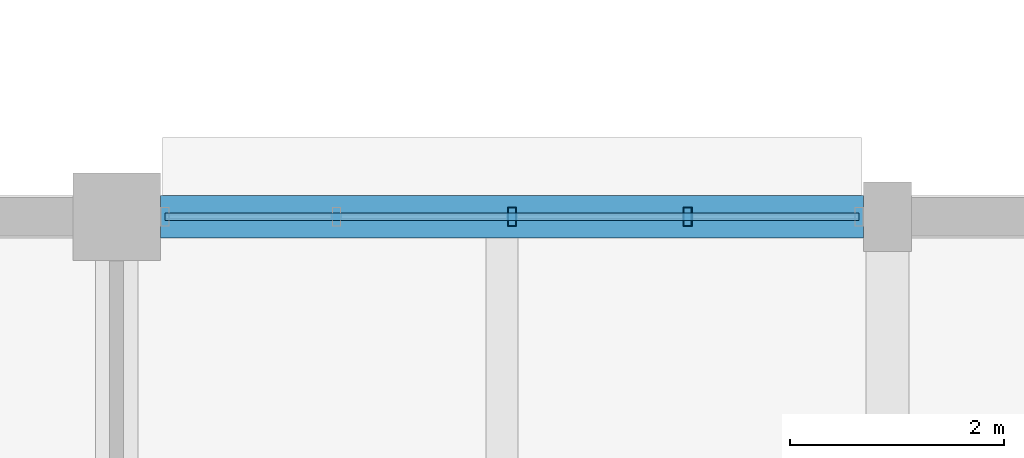
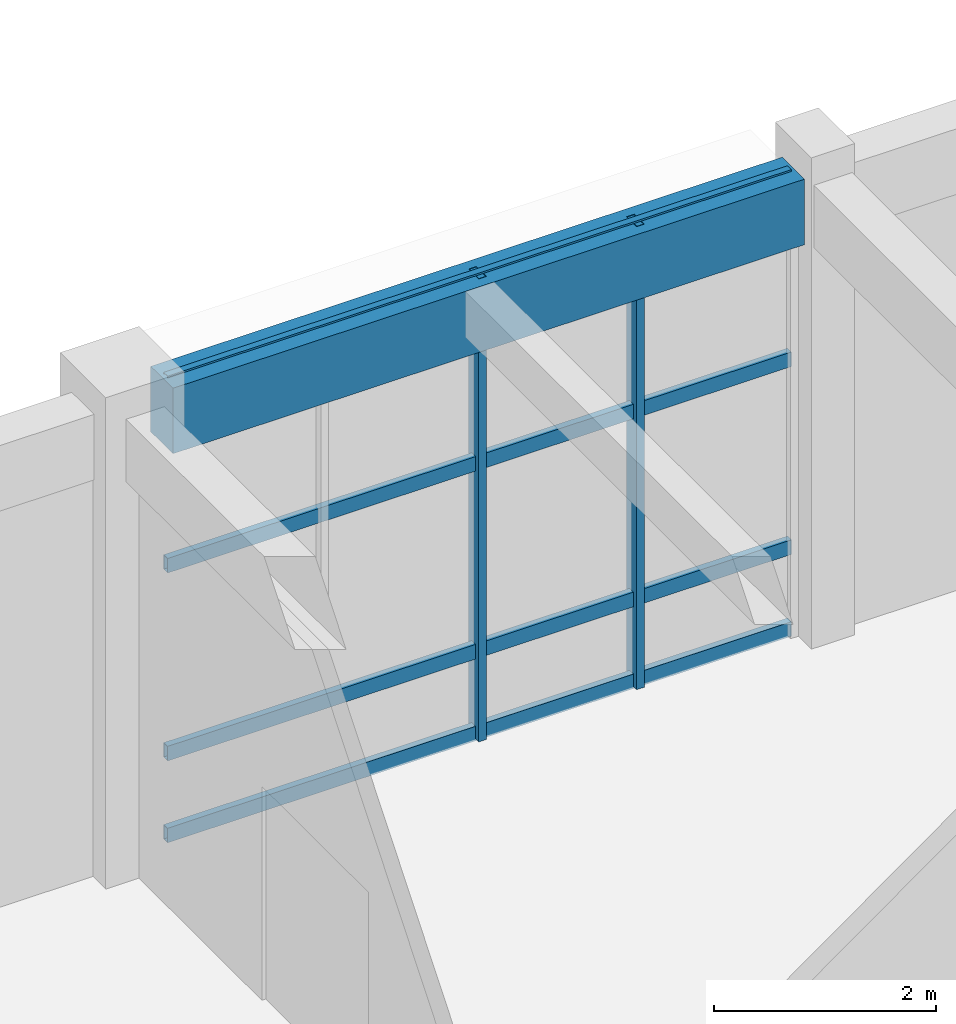
# One storey, part 59 of 160: 6 members, 1 beam, 1 element without a shape of its own.
"""IFC4 building model written with IfcOpenShell, lengths in metres."""

import ifcopenshell
import ifcopenshell.guid

model = None  # the IFC model being written
_history = None  # IfcOwnerHistory: only IFC2X3 demands one
_inside = {}  # id of a spatial element -> (the spatial element, [elements in it])
_under = {}  # id of a project, library or spatial element -> (it, [spatial elements below it])
_declared = {}  # id of a project -> (the project, [libraries it declares])
_typed = {}  # id of a type object -> (the type object, [elements of that type])
_made_of = {}  # id of a material, layer set ... -> (it, [elements and type objects made of it])


def new_model(schema):
    """Start an empty IFC model of exactly this schema.

    Asked for "IFC4X3", IfcOpenShell would pick the latest addendum, in which some entities
    have other attributes; the version numbers below select the first issue.
    IFC2X3 requires an IfcOwnerHistory on every rooted entity: one is made here for all.
    """
    global model, _history
    if schema == "IFC4X3":
        model = ifcopenshell.file(schema_version=(4, 3, 0, 0))
    else:
        model = ifcopenshell.file(schema=schema)
    _inside.clear()
    _under.clear()
    _declared.clear()
    _typed.clear()
    _made_of.clear()
    _history = None
    if model.schema == "IFC2X3":
        org = make("IfcOrganization", Name="unknown")
        user = make(
            "IfcPersonAndOrganization",
            ThePerson=make("IfcPerson", FamilyName="unknown"),
            TheOrganization=org,
        )
        app = make(
            "IfcApplication",
            ApplicationDeveloper=org,
            Version="unknown",
            ApplicationFullName="unknown",
            ApplicationIdentifier="unknown",
        )
        _history = make(
            "IfcOwnerHistory",
            OwningUser=user,
            OwningApplication=app,
            ChangeAction="ADDED",
            CreationDate=0,
        )
    return model


def make(cls, **values):
    """One entity of the class cls with the attributes given. An attribute that is None is left unset."""
    return model.create_entity(
        cls, **{name: value for name, value in values.items() if value is not None}
    )


def rooted(cls, **values):
    """An entity with a GlobalId (a new one), such as an element, a storey or a relation."""
    return make(cls, GlobalId=ifcopenshell.guid.new(), OwnerHistory=_history, **values)


def si_unit(unit_type, name, prefix=None):
    """IfcSIUnit, for example si_unit("LENGTHUNIT", "METRE", prefix="MILLI")."""
    return make("IfcSIUnit", UnitType=unit_type, Prefix=prefix, Name=name)


def assignment(units):
    """IfcUnitAssignment: the units of a project."""
    return None if units is None else make("IfcUnitAssignment", Units=units)


def point(xyz):
    """IfcCartesianPoint."""
    return None if xyz is None else make("IfcCartesianPoint", Coordinates=xyz)


def direction(xyz):
    """IfcDirection."""
    return None if xyz is None else make("IfcDirection", DirectionRatios=xyz)


def frame(location, z_axis=None, x_axis=None):
    """IfcAxis2Placement3D, a coordinate frame: its origin and axes. An axis left out is left unset."""
    return make(
        "IfcAxis2Placement3D",
        Location=point(location),
        Axis=direction(z_axis),
        RefDirection=direction(x_axis),
    )


def frame_2d(location, x_axis=None):
    """IfcAxis2Placement2D, a coordinate frame in the plane: its origin and x axis."""
    return make(
        "IfcAxis2Placement2D", Location=point(location), RefDirection=direction(x_axis)
    )


def origin():
    """The frame at (0, 0, 0) with its axes left unset."""
    return frame((0.0, 0.0, 0.0))


def origin_2d():
    """The frame at (0, 0) in the plane with its x axis left unset."""
    return frame_2d((0.0, 0.0))


def place(relative_to, where):
    """IfcLocalPlacement: puts the frame where relative to a parent placement (None: the world)."""
    return make(
        "IfcLocalPlacement", PlacementRelTo=relative_to, RelativePlacement=where
    )


def context(
    kind, dimensions, precision=None, world=None, true_north=None, identifier=None
):
    """IfcGeometricRepresentationContext, for example the 3D "Model" context."""
    return make(
        "IfcGeometricRepresentationContext",
        ContextIdentifier=identifier,
        ContextType=kind,
        CoordinateSpaceDimension=dimensions,
        Precision=precision,
        WorldCoordinateSystem=world,
        TrueNorth=true_north,
    )


def subcontext(parent, identifier, kind, view, scale=None):
    """IfcGeometricRepresentationSubContext, for example "Body" below "Model"."""
    return make(
        "IfcGeometricRepresentationSubContext",
        ContextIdentifier=identifier,
        ContextType=kind,
        ParentContext=parent,
        TargetScale=scale,
        TargetView=view,
    )


def project(units=None, contexts=None):
    """IfcProject with its units and contexts."""
    return rooted(
        "IfcProject",
        Name="project",
        RepresentationContexts=contexts,
        UnitsInContext=assignment(units),
    )


def spatial(cls, under=None, at=None, **own):
    """A site, building, storey or space (cls), placed at a placement, below another one or the project."""
    s = rooted(cls, ObjectPlacement=at, **own)
    if under is not None:
        _under.setdefault(under.id(), (under, []))[1].append(s)
    return s


def profile(cls, at=None, kind="AREA", **sizes):
    """A parametric profile (cls). Its sizes go by their IFC names, for example OverallWidth=200.0."""
    return make(cls, ProfileType=kind, Position=at, **sizes)


def rectangle(**sizes):
    """IfcRectangleProfileDef."""
    return profile("IfcRectangleProfileDef", **sizes)


def hollow_rectangle(**sizes):
    """IfcRectangleHollowProfileDef."""
    return profile("IfcRectangleHollowProfileDef", **sizes)


def extrude(swept, where, along, depth):
    """IfcExtrudedAreaSolid: the profile swept, set in the frame where, extruded along a direction by depth."""
    return make(
        "IfcExtrudedAreaSolid",
        SweptArea=swept,
        Position=where,
        ExtrudedDirection=direction(along),
        Depth=depth,
    )


def shape(context_of_items, identifier, shape_type, items):
    """IfcShapeRepresentation: the items that make up one representation, for example the "Body"."""
    return make(
        "IfcShapeRepresentation",
        ContextOfItems=context_of_items,
        RepresentationIdentifier=identifier,
        RepresentationType=shape_type,
        Items=items,
    )


def material(Name=None, Category=None):
    """IfcMaterial."""
    return make("IfcMaterial", Name=Name, Category=Category)


def material_profile(
    of_material, cross_section, Name=None, Category=None, Priority=None
):
    """IfcMaterialProfile: a cross section and its material."""
    return make(
        "IfcMaterialProfile",
        Name=Name,
        Material=of_material,
        Profile=cross_section,
        Priority=Priority,
        Category=Category,
    )


def profile_set(profiles, Name=None, composite=None):
    """IfcMaterialProfileSet."""
    return make(
        "IfcMaterialProfileSet",
        Name=Name,
        MaterialProfiles=profiles,
        CompositeProfile=composite,
    )


def made_of(thing, what):
    """Note that an element or type object is made of a material, layer set ...; save() writes the relation."""
    if what is not None:
        _made_of.setdefault(what.id(), (what, []))[1].append(thing)
    return thing


def type_object(cls, material=None, **own):
    """A type object (cls), such as IfcWallType, which elements share."""
    return made_of(rooted(cls, **own), material)


def element(
    cls,
    number,
    at=None,
    inside=None,
    cuts=None,
    type_object=None,
    material=None,
    context=None,
    identifier="Body",
    shape_type=None,
    held_by="IfcProductDefinitionShape",
    body=None,
    shapes=None,
    **own,
):
    """One element of the class cls, such as IfcWall. Its Tag is "e" and its number.

    at: its placement. inside: the storey or other place that contains it. cuts: it is an
    opening in that element (IfcRelVoidsElement). A single representation is given by context,
    identifier, shape_type and body (its items); several are given by shapes. held_by: the class
    of the entity that holds the representations. save() writes the other relations.
    """
    e = rooted(cls, Tag="e%d" % number, ObjectPlacement=at, **own)
    if body is not None:
        shapes = [shape(context, identifier, shape_type, body)]
    if shapes is not None:
        e.Representation = make(held_by, Representations=shapes)
    if inside is not None:
        _inside.setdefault(inside.id(), (inside, []))[1].append(e)
    if cuts is not None:
        rooted(
            "IfcRelVoidsElement", RelatingBuildingElement=cuts, RelatedOpeningElement=e
        )
    if type_object is not None:
        _typed.setdefault(type_object.id(), (type_object, []))[1].append(e)
    return made_of(e, material)


def aggregate(whole, parts):
    """IfcRelAggregates: a whole, such as a stair, and the parts it consists of."""
    return rooted("IfcRelAggregates", RelatingObject=whole, RelatedObjects=parts)


def save(model, path):
    """Write the relations noted so far, then the file.

    IfcRelAggregates (storeys below a building ...), IfcRelContainedInSpatialStructure (elements
    in a storey), IfcRelDefinesByType, IfcRelAssociatesMaterial and IfcRelDeclares: one each for
    every whole, place, type object, material and project.
    """
    for whole, parts in _under.values():
        aggregate(whole, parts)
    for where, things in _inside.values():
        rooted(
            "IfcRelContainedInSpatialStructure",
            RelatedElements=things,
            RelatingStructure=where,
        )
    for kind, things in _typed.values():
        rooted("IfcRelDefinesByType", RelatedObjects=things, RelatingType=kind)
    for what, things in _made_of.values():
        rooted("IfcRelAssociatesMaterial", RelatedObjects=things, RelatingMaterial=what)
    for by, libraries in _declared.values():
        rooted("IfcRelDeclares", RelatingContext=by, RelatedDefinitions=libraries)
    model.write(path)


model = new_model("IFC4")

# Units and contexts
model_context = context("Model", 3, precision=1e-05, world=origin(), true_north=direction((0.0, 1.0)))
body_context = subcontext(model_context, "Body", "Model", "MODEL_VIEW")
ifc_project = project(units=[si_unit("LENGTHUNIT", "METRE"), si_unit("AREAUNIT", "SQUARE_METRE"), si_unit("VOLUMEUNIT", "CUBIC_METRE"), si_unit("PLANEANGLEUNIT", "RADIAN"), si_unit("MASSUNIT", "GRAM", prefix="KILO")], contexts=[model_context])

# Site, building, storey
site_placement = place(None, origin())
site = spatial("IfcSite", under=ifc_project, at=site_placement, CompositionType="ELEMENT")
building_placement = place(site_placement, origin())
building = spatial("IfcBuilding", under=site, at=building_placement, Name="Thalmaran Polytechnic", CompositionType="ELEMENT")
storey_placement = place(building_placement, origin())
storey = spatial("IfcBuildingStorey", under=building, at=storey_placement, Name="L00", CompositionType="ELEMENT", Elevation=0.0)

# Beam
ifc_material_1 = material(Name="Concrete C40/50", Category="concrete")
ifc_material_profile_1 = material_profile(ifc_material_1, rectangle(XDim=0.39990234375, YDim=0.719970703125, at=origin_2d()), Name="RC 400x720")
ifc_profile_set_1 = profile_set([ifc_material_profile_1], Name="Concrete C40/50")
beam_type = type_object("IfcBeamType", Name="BM-SP01", PredefinedType="SPANDREL", material=ifc_profile_set_1)
beam_placement = place(storey_placement, frame((22.010009765625, 122.39990234375, 4.72998046875), z_axis=(1.0, 0.0, 0.0), x_axis=(0.0, 1.0, 0.0)))
element("IfcBeam", 1, at=beam_placement, inside=storey, type_object=beam_type, Name="Grid Beam SP01 L00 X(3,17)", PredefinedType="SPANDREL", context=body_context, shape_type="SweptSolid", body=[
    extrude(rectangle(XDim=0.39990234375, YDim=0.719970703125, at=origin_2d()), origin(), (0.0, 0.0, 1.0), 6.56494140625),
])

# Curtain wall, members
ifc_material_2 = material(Name="Aluminium 6063-T6", Category="aluminium")
curtain_wall_type = type_object("IfcCurtainWallType", Name="CW-UC01", PredefinedType="USERDEFINED", material=ifc_material_2)
curtain_wall_placement = place(storey_placement, origin())
curtain_wall = element("IfcCurtainWall", 2, at=curtain_wall_placement, inside=storey, type_object=curtain_wall_type, Name="Curtain Wall CW-L00-003", ObjectType="UNITISED CURTAIN WALL", PredefinedType="USERDEFINED")
ifc_material_profile_2 = material_profile(ifc_material_2, hollow_rectangle(XDim=0.080078125, YDim=0.179931640625, WallThickness=0.0048828125, at=origin_2d()), Name="RHS 180x80x5.0")
ifc_profile_set_2 = profile_set([ifc_material_profile_2], Name="Aluminium 6063-T6")
member_type_1 = type_object("IfcMemberType", Name="CW-MUL1", PredefinedType="MULLION", material=ifc_profile_set_2)
member_1_placement = place(storey_placement, frame((25.29248046875, 122.39990234375, 0.0), z_axis=(0.0, 0.0, 1.0), x_axis=(1.0, 0.0, 0.0)))
member_1 = element("IfcMember", 3, at=member_1_placement, type_object=member_type_1, Name="CW-L00-003 Mullion 3", PredefinedType="MULLION", context=body_context, shape_type="SweptSolid", body=[
    extrude(hollow_rectangle(XDim=0.080078125, YDim=0.179931640625, WallThickness=0.0048828125, at=origin_2d()), origin(), (0.0, 0.0, 1.0), 5.090087890625),
])
member_2_placement = place(storey_placement, frame((26.933837890625, 122.39990234375, 0.0), z_axis=(0.0, 0.0, 1.0), x_axis=(1.0, 0.0, 0.0)))
member_2 = element("IfcMember", 4, at=member_2_placement, type_object=member_type_1, Name="CW-L00-003 Mullion 4", PredefinedType="MULLION", context=body_context, shape_type="SweptSolid", body=[
    extrude(hollow_rectangle(XDim=0.080078125, YDim=0.179931640625, WallThickness=0.0048828125, at=origin_2d()), origin(), (0.0, 0.0, 1.0), 5.090087890625),
])
ifc_material_profile_3 = material_profile(ifc_material_2, hollow_rectangle(XDim=0.070068359375, YDim=0.159912109375, WallThickness=0.00390625, at=origin_2d()), Name="AL 160x70x4.0")
ifc_profile_set_3 = profile_set([ifc_material_profile_3], Name="Aluminium 6063-T6")
member_type_2 = type_object("IfcMemberType", Name="CW-TRN1", PredefinedType="USERDEFINED", material=ifc_profile_set_3)
member_3_placement = place(storey_placement, frame((22.050048828125, 122.39990234375, 0.06005859375), z_axis=(1.0, 0.0, 0.0), x_axis=(0.0, 1.0, 0.0)))
member_3 = element("IfcMember", 5, at=member_3_placement, type_object=member_type_2, Name="CW-L00-003 Transom 1", ObjectType="TRANSOM", PredefinedType="USERDEFINED", context=body_context, shape_type="SweptSolid", body=[
    extrude(hollow_rectangle(XDim=0.070068359375, YDim=0.159912109375, WallThickness=0.00390625, at=origin_2d()), origin(), (0.0, 0.0, 1.0), 6.48486328125),
])
member_4_placement = place(storey_placement, frame((22.050048828125, 122.39990234375, 0.9599609375), z_axis=(1.0, 0.0, 0.0), x_axis=(0.0, 1.0, 0.0)))
member_4 = element("IfcMember", 6, at=member_4_placement, type_object=member_type_2, Name="CW-L00-003 Transom 2", ObjectType="TRANSOM", PredefinedType="USERDEFINED", context=body_context, shape_type="SweptSolid", body=[
    extrude(hollow_rectangle(XDim=0.070068359375, YDim=0.159912109375, WallThickness=0.00390625, at=origin_2d()), origin(), (0.0, 0.0, 1.0), 6.48486328125),
])
member_5_placement = place(storey_placement, frame((22.050048828125, 122.39990234375, 3.02490234375), z_axis=(1.0, 0.0, 0.0), x_axis=(0.0, 1.0, 0.0)))
member_5 = element("IfcMember", 7, at=member_5_placement, type_object=member_type_2, Name="CW-L00-003 Transom 3", ObjectType="TRANSOM", PredefinedType="USERDEFINED", context=body_context, shape_type="SweptSolid", body=[
    extrude(hollow_rectangle(XDim=0.070068359375, YDim=0.159912109375, WallThickness=0.00390625, at=origin_2d()), origin(), (0.0, 0.0, 1.0), 6.48486328125),
])
member_6_placement = place(storey_placement, frame((22.050048828125, 122.39990234375, 5.030029296875), z_axis=(1.0, 0.0, 0.0), x_axis=(0.0, 1.0, 0.0)))
member_6 = element("IfcMember", 8, at=member_6_placement, type_object=member_type_2, Name="CW-L00-003 Transom 4", ObjectType="TRANSOM", PredefinedType="USERDEFINED", context=body_context, shape_type="SweptSolid", body=[
    extrude(hollow_rectangle(XDim=0.070068359375, YDim=0.159912109375, WallThickness=0.00390625, at=origin_2d()), origin(), (0.0, 0.0, 1.0), 6.48486328125),
])
aggregate(curtain_wall, [member_1, member_2, member_3, member_4, member_5, member_6])

save(model, "model.ifc")
